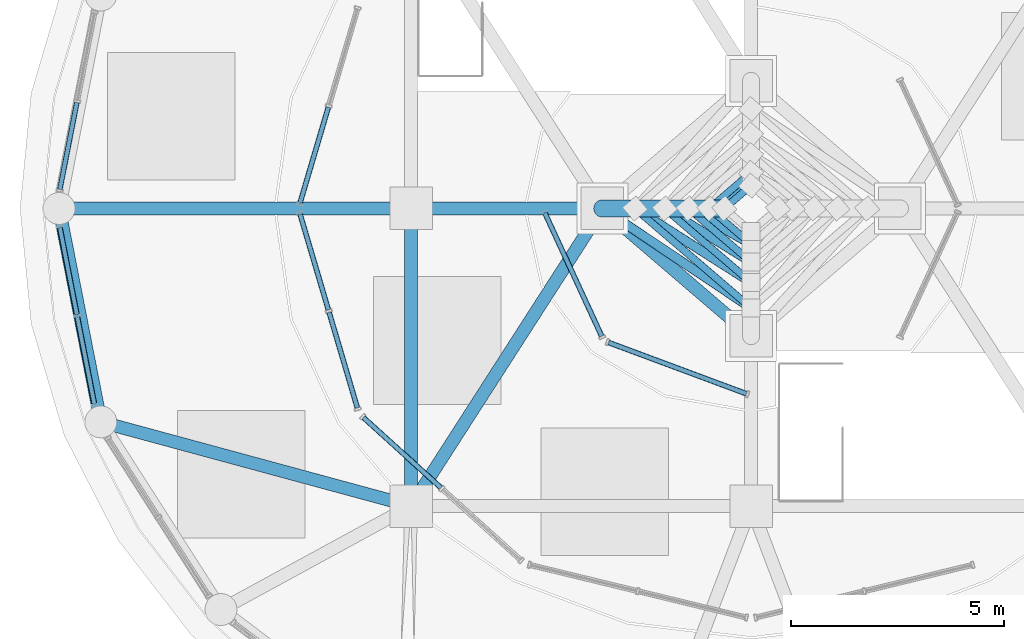
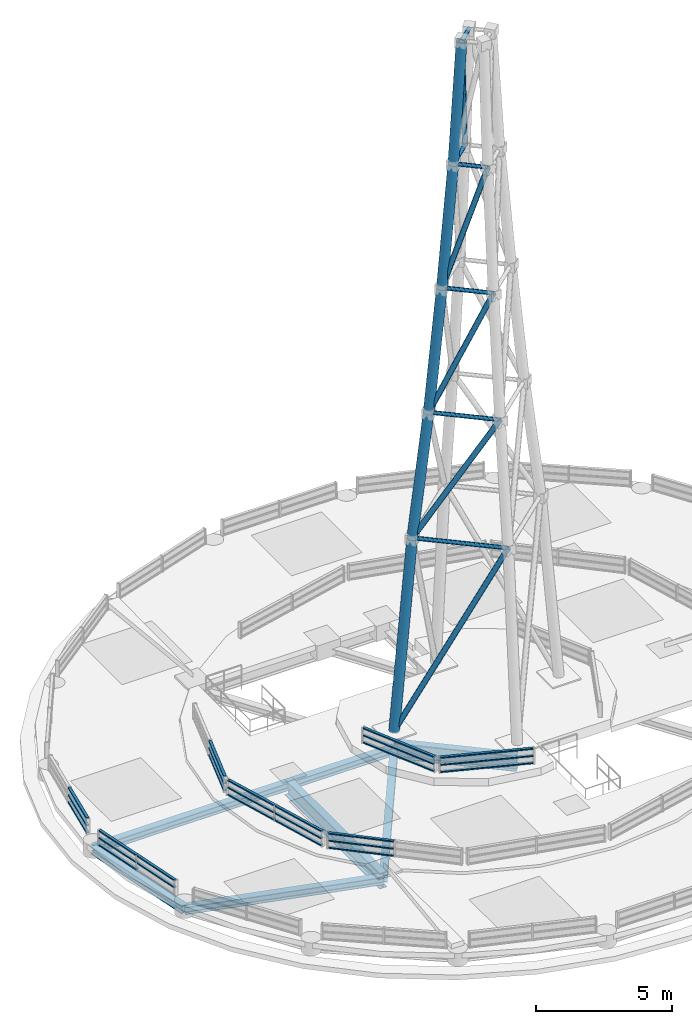
# One storey, part 2 of 21: 42 members, 7 beams, 7 elements without a shape of their own.
"""IFC4 building model written with IfcOpenShell, lengths in metres."""

from ifc_helpers import new_model, si_unit, direction, frame, origin, origin_2d, place, context, subcontext, project, spatial, hollow_rectangle, hollow_circle, i_section, extrude, material, layer, layer_set, material_profile, profile_set, type_object, element, aggregate, save


model = new_model("IFC4")

# Units and contexts
model_context = context("Model", 3, precision=1e-05, world=origin(), true_north=direction((0.0, 1.0)))
body_context = subcontext(model_context, "Body", "Model", "MODEL_VIEW")
ifc_project = project(units=[si_unit("LENGTHUNIT", "METRE"), si_unit("AREAUNIT", "SQUARE_METRE"), si_unit("VOLUMEUNIT", "CUBIC_METRE"), si_unit("PLANEANGLEUNIT", "RADIAN"), si_unit("MASSUNIT", "GRAM", prefix="KILO")], contexts=[model_context])

# Site, building, storey
site_placement = place(None, origin())
site = spatial("IfcSite", under=ifc_project, at=site_placement, CompositionType="ELEMENT")
building_placement = place(site_placement, origin())
building = spatial("IfcBuilding", under=site, at=building_placement, Name="Kelanora Arch Commons", CompositionType="ELEMENT")
storey_placement = place(building_placement, frame((0.0, 0.0, 311.10009765625)))
storey = spatial("IfcBuildingStorey", under=building, at=storey_placement, Name="RF", CompositionType="ELEMENT", Elevation=311.10009765625)

# Beams
ifc_material_1 = material(Name="Steel S355", Category="steel")
ifc_material_profile_1 = material_profile(ifc_material_1, i_section(OverallWidth=0.300048828125, OverallDepth=0.699951171875, WebThickness=0.01708984375, FlangeThickness=0.031982421875, FilletRadius=0.027099609375, at=origin_2d()), Name="HEB700")
ifc_profile_set_1 = profile_set([ifc_material_profile_1], Name="Steel S355")
beam_type_1 = type_object("IfcBeamType", Name="BM-CORE-HDR", PredefinedType="BEAM", material=ifc_profile_set_1)
beam_1_placement = place(storey_placement, frame((66.0, 58.0, 0.099853515625), z_axis=(0.0, -1.0, 0.0), x_axis=(1.0, 0.0, 0.0)))
element("IfcBeam", 1, at=beam_1_placement, inside=storey, type_object=beam_type_1, Name="Crown Mid Lantern Roof Ring 09", PredefinedType="BEAM", context=body_context, shape_type="SweptSolid", body=[
    extrude(i_section(OverallWidth=0.300048828125, OverallDepth=0.699951171875, WebThickness=0.01708984375, FlangeThickness=0.031982421875, FilletRadius=0.027099609375, at=origin_2d()), origin(), (0.0, 0.0, 1.0), 7.0),
])
beam_2_placement = place(storey_placement, frame((70.5, 58.0, 0.199951171875), z_axis=(0.759256602365, -0.650791373456, 0.0), x_axis=(0.650791373456, 0.759256602365, 0.0)))
element("IfcBeam", 2, at=beam_2_placement, inside=storey, type_object=beam_type_1, Name="Crown Collar Diamond Ring 04", PredefinedType="BEAM", context=body_context, shape_type="SweptSolid", body=[
    extrude(i_section(OverallWidth=0.300048828125, OverallDepth=0.699951171875, WebThickness=0.01708984375, FlangeThickness=0.031982421875, FilletRadius=0.027099609375, at=origin_2d()), origin(), (0.0, 0.0, 1.0), 4.60986328125),
])
ifc_material_profile_2 = material_profile(ifc_material_1, i_section(OverallWidth=0.300048828125, OverallDepth=0.340087890625, WebThickness=0.011962890625, FlangeThickness=0.021484375, FilletRadius=0.027099609375, at=origin_2d()), Name="HEB340")
ifc_profile_set_2 = profile_set([ifc_material_profile_2], Name="Steel S355")
beam_type_2 = type_object("IfcBeamType", Name="BM-DRUM-RING", PredefinedType="BEAM", material=ifc_profile_set_2)
beam_3_placement = place(storey_placement, frame((57.719970703125, 58.0, 0.179931640625), z_axis=(0.191929675955, -0.981408681176, 0.0), x_axis=(0.981408681176, 0.191929675955, 0.0)))
element("IfcBeam", 3, at=beam_3_placement, inside=storey, type_object=beam_type_2, Name="Crown Outer Lantern Ring Beam 18", PredefinedType="BEAM", context=body_context, shape_type="SweptSolid", body=[
    extrude(i_section(OverallWidth=0.300048828125, OverallDepth=0.340087890625, WebThickness=0.011962890625, FlangeThickness=0.021484375, FilletRadius=0.027099609375, at=origin_2d()), origin(), (0.0, 0.0, 1.0), 5.1162109375),
])
beam_4_placement = place(storey_placement, frame((57.719970703125, 58.0, 0.169921875), z_axis=(1.0, 0.0, 0.0), x_axis=(0.0, 1.0, 0.0)))
element("IfcBeam", 4, at=beam_4_placement, inside=storey, type_object=beam_type_2, Name="Sloped Glass Crown Outer Rafter 10A", PredefinedType="BEAM", context=body_context, shape_type="SweptSolid", body=[
    extrude(i_section(OverallWidth=0.300048828125, OverallDepth=0.340087890625, WebThickness=0.011962890625, FlangeThickness=0.021484375, FilletRadius=0.027099609375, at=origin_2d()), origin(), (0.0, 0.0, 1.0), 8.280029296875),
])
beam_5_placement = place(storey_placement, frame((66.0, 58.0, 0.169921875), z_axis=(1.0, 0.0, 0.0), x_axis=(0.0, 1.0, 0.0)))
element("IfcBeam", 5, at=beam_5_placement, inside=storey, type_object=beam_type_2, Name="Sloped Glass Crown Inner Rafter 06", PredefinedType="BEAM", context=body_context, shape_type="SweptSolid", body=[
    extrude(i_section(OverallWidth=0.300048828125, OverallDepth=0.340087890625, WebThickness=0.011962890625, FlangeThickness=0.021484375, FilletRadius=0.027099609375, at=origin_2d()), origin(), (0.0, 0.0, 1.0), 4.5),
])
beam_6_placement = place(storey_placement, frame((58.701904296875, 52.97900390625, 0.169921875), z_axis=(0.965145027625, -0.26171563891, 0.0), x_axis=(0.26171563891, 0.965145027625, 0.0)))
element("IfcBeam", 6, at=beam_6_placement, inside=storey, type_object=beam_type_2, Name="Sloped Glass Crown Outer Rafter 11A", PredefinedType="BEAM", context=body_context, shape_type="SweptSolid", body=[
    extrude(i_section(OverallWidth=0.300048828125, OverallDepth=0.340087890625, WebThickness=0.011962890625, FlangeThickness=0.021484375, FilletRadius=0.027099609375, at=origin_2d()), origin(), (0.0, 0.0, 1.0), 7.561767578125),
])
beam_7_placement = place(storey_placement, frame((66.0, 51.0, 0.169921875), z_axis=(0.540757591313, 0.841178475377, 0.0), x_axis=(-0.841178475377, 0.540757591313, 0.0)))
element("IfcBeam", 7, at=beam_7_placement, inside=storey, type_object=beam_type_2, Name="Sloped Glass Crown Inner Rafter 07", PredefinedType="BEAM", context=body_context, shape_type="SweptSolid", body=[
    extrude(i_section(OverallWidth=0.300048828125, OverallDepth=0.340087890625, WebThickness=0.011962890625, FlangeThickness=0.021484375, FilletRadius=0.027099609375, at=origin_2d()), origin(), (0.0, 0.0, 1.0), 8.32177734375),
])

# Curtain wall, members
ifc_material_2 = material(Name="Terracotta ceramic-fritted low-E glass and aluminium", Category="masonry")
ifc_layer = layer(ifc_material_2, 0.14990234375)
ifc_layer_set = layer_set([ifc_layer], Name="Terracotta ceramic-fritted low-E glass and aluminium")
curtain_wall_type = type_object("IfcCurtainWallType", Name="CW-SYS-06", PredefinedType="NOTDEFINED", material=ifc_layer_set)
curtain_wall_1_placement = place(storey_placement, origin())
curtain_wall_1 = element("IfcCurtainWall", 8, at=curtain_wall_1_placement, inside=storey, type_object=curtain_wall_type, Name="Sloped Glass Crown Lantern T1-09", PredefinedType="NOTDEFINED")
ifc_material_3 = material(Name="Powder-coated aluminium terracotta", Category="masonry")
ifc_material_profile_3 = material_profile(ifc_material_3, hollow_rectangle(XDim=0.1201171875, YDim=0.06005859375, WallThickness=0.0048828125, InnerFilletRadius=0.0048828125, OuterFilletRadius=0.010009765625, at=origin_2d()), Name="CWT120x60")
ifc_profile_set_3 = profile_set([ifc_material_profile_3], Name="Powder-coated aluminium terracotta")
member_type_1 = type_object("IfcMemberType", Name="CWT-STD", PredefinedType="USERDEFINED", material=ifc_profile_set_3)
member_1_placement = place(storey_placement, frame((58.13720703125, 60.492919921875, 0.619873046875), z_axis=(-0.191780603047, -0.981437822939, 0.0), x_axis=(0.981437822939, -0.191780603047, 0.0)))
member_1 = element("IfcMember", 9, at=member_1_placement, type_object=member_type_1, Name="CW-06 transom 2.1", ObjectType="TRANSOM", PredefinedType="USERDEFINED", context=body_context, shape_type="SweptSolid", body=[
    extrude(hollow_rectangle(XDim=0.1201171875, YDim=0.06005859375, WallThickness=0.0048828125, InnerFilletRadius=0.0048828125, OuterFilletRadius=0.010009765625, at=origin_2d()), origin(), (0.0, 0.0, 1.0), 2.080078125),
])
member_2_placement = place(storey_placement, frame((58.13720703125, 60.492919921875, 0.93994140625), z_axis=(-0.191780603047, -0.981437822939, 0.0), x_axis=(0.981437822939, -0.191780603047, 0.0)))
member_2 = element("IfcMember", 10, at=member_2_placement, type_object=member_type_1, Name="CW-06 transom 2.2", ObjectType="TRANSOM", PredefinedType="USERDEFINED", context=body_context, shape_type="SweptSolid", body=[
    extrude(hollow_rectangle(XDim=0.1201171875, YDim=0.06005859375, WallThickness=0.0048828125, InnerFilletRadius=0.0048828125, OuterFilletRadius=0.010009765625, at=origin_2d()), origin(), (0.0, 0.0, 1.0), 2.080078125),
])
member_3_placement = place(storey_placement, frame((58.13720703125, 60.492919921875, 1.260009765625), z_axis=(-0.191780603047, -0.981437822939, 0.0), x_axis=(0.981437822939, -0.191780603047, 0.0)))
member_3 = element("IfcMember", 11, at=member_3_placement, type_object=member_type_1, Name="CW-06 transom 2.3", ObjectType="TRANSOM", PredefinedType="USERDEFINED", context=body_context, shape_type="SweptSolid", body=[
    extrude(hollow_rectangle(XDim=0.1201171875, YDim=0.06005859375, WallThickness=0.0048828125, InnerFilletRadius=0.0048828125, OuterFilletRadius=0.010009765625, at=origin_2d()), origin(), (0.0, 0.0, 1.0), 2.080078125),
])
aggregate(curtain_wall_1, [member_1, member_2, member_3])

curtain_wall_2_placement = place(storey_placement, origin())
curtain_wall_2 = element("IfcCurtainWall", 12, at=curtain_wall_2_placement, inside=storey, type_object=curtain_wall_type, Name="Sloped Glass Crown Lantern T1-10", PredefinedType="NOTDEFINED")
member_4_placement = place(storey_placement, frame((57.73828125, 57.548583984375, 0.619873046875), z_axis=(0.191780603047, -0.981437822939, 0.0), x_axis=(0.981437822939, 0.191780603047, 0.0)))
member_4 = element("IfcMember", 13, at=member_4_placement, type_object=member_type_1, Name="CW-06 transom 1.1", ObjectType="TRANSOM", PredefinedType="USERDEFINED", context=body_context, shape_type="SweptSolid", body=[
    extrude(hollow_rectangle(XDim=0.1201171875, YDim=0.06005859375, WallThickness=0.0048828125, InnerFilletRadius=0.0048828125, OuterFilletRadius=0.010009765625, at=origin_2d()), origin(), (0.0, 0.0, 1.0), 2.080078125),
])
member_5_placement = place(storey_placement, frame((57.73828125, 57.548583984375, 0.93994140625), z_axis=(0.191780603047, -0.981437822939, 0.0), x_axis=(0.981437822939, 0.191780603047, 0.0)))
member_5 = element("IfcMember", 14, at=member_5_placement, type_object=member_type_1, Name="CW-06 transom 1.2", ObjectType="TRANSOM", PredefinedType="USERDEFINED", context=body_context, shape_type="SweptSolid", body=[
    extrude(hollow_rectangle(XDim=0.1201171875, YDim=0.06005859375, WallThickness=0.0048828125, InnerFilletRadius=0.0048828125, OuterFilletRadius=0.010009765625, at=origin_2d()), origin(), (0.0, 0.0, 1.0), 2.080078125),
])
member_6_placement = place(storey_placement, frame((57.73828125, 57.548583984375, 1.260009765625), z_axis=(0.191780603047, -0.981437822939, 0.0), x_axis=(0.981437822939, 0.191780603047, 0.0)))
member_6 = element("IfcMember", 15, at=member_6_placement, type_object=member_type_1, Name="CW-06 transom 1.3", ObjectType="TRANSOM", PredefinedType="USERDEFINED", context=body_context, shape_type="SweptSolid", body=[
    extrude(hollow_rectangle(XDim=0.1201171875, YDim=0.06005859375, WallThickness=0.0048828125, InnerFilletRadius=0.0048828125, OuterFilletRadius=0.010009765625, at=origin_2d()), origin(), (0.0, 0.0, 1.0), 2.080078125),
])
member_7_placement = place(storey_placement, frame((58.148681640625, 55.4482421875, 0.93994140625), z_axis=(0.191893651219, -0.981415725685, 0.0), x_axis=(0.981415725685, 0.191893651219, 0.0)))
member_7 = element("IfcMember", 16, at=member_7_placement, type_object=member_type_1, Name="CW-06 transom 2.2", ObjectType="TRANSOM", PredefinedType="USERDEFINED", context=body_context, shape_type="SweptSolid", body=[
    extrude(hollow_rectangle(XDim=0.1201171875, YDim=0.06005859375, WallThickness=0.0048828125, InnerFilletRadius=0.0048828125, OuterFilletRadius=0.010009765625, at=origin_2d()), origin(), (0.0, 0.0, 1.0), 2.080078125),
])
member_8_placement = place(storey_placement, frame((58.148681640625, 55.4482421875, 1.260009765625), z_axis=(0.191893651219, -0.981415725685, 0.0), x_axis=(0.981415725685, 0.191893651219, 0.0)))
member_8 = element("IfcMember", 17, at=member_8_placement, type_object=member_type_1, Name="CW-06 transom 2.3", ObjectType="TRANSOM", PredefinedType="USERDEFINED", context=body_context, shape_type="SweptSolid", body=[
    extrude(hollow_rectangle(XDim=0.1201171875, YDim=0.06005859375, WallThickness=0.0048828125, InnerFilletRadius=0.0048828125, OuterFilletRadius=0.010009765625, at=origin_2d()), origin(), (0.0, 0.0, 1.0), 2.080078125),
])
aggregate(curtain_wall_2, [member_4, member_5, member_6, member_7, member_8])

curtain_wall_3_placement = place(storey_placement, origin())
curtain_wall_3 = element("IfcCurtainWall", 18, at=curtain_wall_3_placement, inside=storey, type_object=curtain_wall_type, Name="Sloped Glass Crown Lantern T2-06", PredefinedType="NOTDEFINED")
member_9_placement = place(storey_placement, frame((64.054931640625, 60.3837890625, 0.719970703125), z_axis=(-0.283602831322, -0.958941830387, 0.0), x_axis=(0.958941830387, -0.283602831322, 0.0)))
member_9 = element("IfcMember", 19, at=member_9_placement, type_object=member_type_1, Name="CW-06 transom 2.1", ObjectType="TRANSOM", PredefinedType="USERDEFINED", context=body_context, shape_type="SweptSolid", body=[
    extrude(hollow_rectangle(XDim=0.1201171875, YDim=0.06005859375, WallThickness=0.0048828125, InnerFilletRadius=0.0048828125, OuterFilletRadius=0.010009765625, at=origin_2d()), origin(), (0.0, 0.0, 1.0), 2.345947265625),
])
member_10_placement = place(storey_placement, frame((64.054931640625, 60.3837890625, 1.039794921875), z_axis=(-0.283602831322, -0.958941830387, 0.0), x_axis=(0.958941830387, -0.283602831322, 0.0)))
member_10 = element("IfcMember", 20, at=member_10_placement, type_object=member_type_1, Name="CW-06 transom 2.2", ObjectType="TRANSOM", PredefinedType="USERDEFINED", context=body_context, shape_type="SweptSolid", body=[
    extrude(hollow_rectangle(XDim=0.1201171875, YDim=0.06005859375, WallThickness=0.0048828125, InnerFilletRadius=0.0048828125, OuterFilletRadius=0.010009765625, at=origin_2d()), origin(), (0.0, 0.0, 1.0), 2.345947265625),
])
member_11_placement = place(storey_placement, frame((64.054931640625, 60.3837890625, 1.35986328125), z_axis=(-0.283602831322, -0.958941830387, 0.0), x_axis=(0.958941830387, -0.283602831322, 0.0)))
member_11 = element("IfcMember", 21, at=member_11_placement, type_object=member_type_1, Name="CW-06 transom 2.3", ObjectType="TRANSOM", PredefinedType="USERDEFINED", context=body_context, shape_type="SweptSolid", body=[
    extrude(hollow_rectangle(XDim=0.1201171875, YDim=0.06005859375, WallThickness=0.0048828125, InnerFilletRadius=0.0048828125, OuterFilletRadius=0.010009765625, at=origin_2d()), origin(), (0.0, 0.0, 1.0), 2.345947265625),
])
aggregate(curtain_wall_3, [member_9, member_10, member_11])

curtain_wall_4_placement = place(storey_placement, origin())
curtain_wall_4 = element("IfcCurtainWall", 22, at=curtain_wall_4_placement, inside=storey, type_object=curtain_wall_type, Name="Sloped Glass Crown Lantern T2-07", PredefinedType="NOTDEFINED")
member_12_placement = place(storey_placement, frame((63.3896484375, 57.86572265625, 0.719970703125), z_axis=(0.283602831322, -0.958941830387, 0.0), x_axis=(0.958941830387, 0.283602831322, 0.0)))
member_12 = element("IfcMember", 23, at=member_12_placement, type_object=member_type_1, Name="CW-06 transom 1.1", ObjectType="TRANSOM", PredefinedType="USERDEFINED", context=body_context, shape_type="SweptSolid", body=[
    extrude(hollow_rectangle(XDim=0.1201171875, YDim=0.06005859375, WallThickness=0.0048828125, InnerFilletRadius=0.0048828125, OuterFilletRadius=0.010009765625, at=origin_2d()), origin(), (0.0, 0.0, 1.0), 2.345947265625),
])
member_13_placement = place(storey_placement, frame((63.3896484375, 57.86572265625, 1.039794921875), z_axis=(0.283602831322, -0.958941830387, 0.0), x_axis=(0.958941830387, 0.283602831322, 0.0)))
member_13 = element("IfcMember", 24, at=member_13_placement, type_object=member_type_1, Name="CW-06 transom 1.2", ObjectType="TRANSOM", PredefinedType="USERDEFINED", context=body_context, shape_type="SweptSolid", body=[
    extrude(hollow_rectangle(XDim=0.1201171875, YDim=0.06005859375, WallThickness=0.0048828125, InnerFilletRadius=0.0048828125, OuterFilletRadius=0.010009765625, at=origin_2d()), origin(), (0.0, 0.0, 1.0), 2.345947265625),
])
member_14_placement = place(storey_placement, frame((63.3896484375, 57.86572265625, 1.35986328125), z_axis=(0.283602831322, -0.958941830387, 0.0), x_axis=(0.958941830387, 0.283602831322, 0.0)))
member_14 = element("IfcMember", 25, at=member_14_placement, type_object=member_type_1, Name="CW-06 transom 1.3", ObjectType="TRANSOM", PredefinedType="USERDEFINED", context=body_context, shape_type="SweptSolid", body=[
    extrude(hollow_rectangle(XDim=0.1201171875, YDim=0.06005859375, WallThickness=0.0048828125, InnerFilletRadius=0.0048828125, OuterFilletRadius=0.010009765625, at=origin_2d()), origin(), (0.0, 0.0, 1.0), 2.345947265625),
])
member_15_placement = place(storey_placement, frame((64.072021484375, 55.558837890625, 0.719970703125), z_axis=(0.283507123418, -0.958970130385, 0.0), x_axis=(0.958970130385, 0.283507123418, 0.0)))
member_15 = element("IfcMember", 26, at=member_15_placement, type_object=member_type_1, Name="CW-06 transom 2.1", ObjectType="TRANSOM", PredefinedType="USERDEFINED", context=body_context, shape_type="SweptSolid", body=[
    extrude(hollow_rectangle(XDim=0.1201171875, YDim=0.06005859375, WallThickness=0.0048828125, InnerFilletRadius=0.0048828125, OuterFilletRadius=0.010009765625, at=origin_2d()), origin(), (0.0, 0.0, 1.0), 2.345703125),
])
member_16_placement = place(storey_placement, frame((64.072021484375, 55.558837890625, 1.039794921875), z_axis=(0.283507123418, -0.958970130385, 0.0), x_axis=(0.958970130385, 0.283507123418, 0.0)))
member_16 = element("IfcMember", 27, at=member_16_placement, type_object=member_type_1, Name="CW-06 transom 2.2", ObjectType="TRANSOM", PredefinedType="USERDEFINED", context=body_context, shape_type="SweptSolid", body=[
    extrude(hollow_rectangle(XDim=0.1201171875, YDim=0.06005859375, WallThickness=0.0048828125, InnerFilletRadius=0.0048828125, OuterFilletRadius=0.010009765625, at=origin_2d()), origin(), (0.0, 0.0, 1.0), 2.345703125),
])
member_17_placement = place(storey_placement, frame((64.072021484375, 55.558837890625, 1.35986328125), z_axis=(0.283507123418, -0.958970130385, 0.0), x_axis=(0.958970130385, 0.283507123418, 0.0)))
member_17 = element("IfcMember", 28, at=member_17_placement, type_object=member_type_1, Name="CW-06 transom 2.3", ObjectType="TRANSOM", PredefinedType="USERDEFINED", context=body_context, shape_type="SweptSolid", body=[
    extrude(hollow_rectangle(XDim=0.1201171875, YDim=0.06005859375, WallThickness=0.0048828125, InnerFilletRadius=0.0048828125, OuterFilletRadius=0.010009765625, at=origin_2d()), origin(), (0.0, 0.0, 1.0), 2.345703125),
])
aggregate(curtain_wall_4, [member_12, member_13, member_14, member_15, member_16, member_17])

curtain_wall_5_placement = place(storey_placement, origin())
curtain_wall_5 = element("IfcCurtainWall", 29, at=curtain_wall_5_placement, inside=storey, type_object=curtain_wall_type, Name="Sloped Glass Crown Lantern T2-08", PredefinedType="NOTDEFINED")
member_18_placement = place(storey_placement, frame((64.880615234375, 53.0810546875, 0.719970703125), z_axis=(0.741034787587, -0.671466636242, 0.0), x_axis=(0.671466636242, 0.741034787587, 0.0)))
member_18 = element("IfcMember", 30, at=member_18_placement, type_object=member_type_1, Name="CW-06 transom 1.1", ObjectType="TRANSOM", PredefinedType="USERDEFINED", context=body_context, shape_type="SweptSolid", body=[
    extrude(hollow_rectangle(XDim=0.1201171875, YDim=0.06005859375, WallThickness=0.0048828125, InnerFilletRadius=0.0048828125, OuterFilletRadius=0.010009765625, at=origin_2d()), origin(), (0.0, 0.0, 1.0), 2.4599609375),
])
member_19_placement = place(storey_placement, frame((64.880615234375, 53.0810546875, 1.039794921875), z_axis=(0.741034787587, -0.671466636242, 0.0), x_axis=(0.671466636242, 0.741034787587, 0.0)))
member_19 = element("IfcMember", 31, at=member_19_placement, type_object=member_type_1, Name="CW-06 transom 1.2", ObjectType="TRANSOM", PredefinedType="USERDEFINED", context=body_context, shape_type="SweptSolid", body=[
    extrude(hollow_rectangle(XDim=0.1201171875, YDim=0.06005859375, WallThickness=0.0048828125, InnerFilletRadius=0.0048828125, OuterFilletRadius=0.010009765625, at=origin_2d()), origin(), (0.0, 0.0, 1.0), 2.4599609375),
])
member_20_placement = place(storey_placement, frame((64.880615234375, 53.0810546875, 1.35986328125), z_axis=(0.741034787587, -0.671466636242, 0.0), x_axis=(0.671466636242, 0.741034787587, 0.0)))
member_20 = element("IfcMember", 32, at=member_20_placement, type_object=member_type_1, Name="CW-06 transom 1.3", ObjectType="TRANSOM", PredefinedType="USERDEFINED", context=body_context, shape_type="SweptSolid", body=[
    extrude(hollow_rectangle(XDim=0.1201171875, YDim=0.06005859375, WallThickness=0.0048828125, InnerFilletRadius=0.0048828125, OuterFilletRadius=0.010009765625, at=origin_2d()), origin(), (0.0, 0.0, 1.0), 2.4599609375),
])
aggregate(curtain_wall_5, [member_18, member_19, member_20])

curtain_wall_6_placement = place(storey_placement, origin())
curtain_wall_6 = element("IfcCurtainWall", 33, at=curtain_wall_6_placement, inside=storey, type_object=curtain_wall_type, Name="Sloped Glass Crown Lantern T3-05", PredefinedType="NOTDEFINED")
member_21_placement = place(storey_placement, frame((69.150146484375, 57.89111328125, 1.02978515625), z_axis=(0.41888810842, -0.908037858585, 0.0), x_axis=(0.908037858585, 0.41888810842, 0.0)))
member_21 = element("IfcMember", 34, at=member_21_placement, type_object=member_type_1, Name="CW-06 transom 1.1", ObjectType="TRANSOM", PredefinedType="USERDEFINED", context=body_context, shape_type="SweptSolid", body=[
    extrude(hollow_rectangle(XDim=0.1201171875, YDim=0.06005859375, WallThickness=0.0048828125, InnerFilletRadius=0.0048828125, OuterFilletRadius=0.010009765625, at=origin_2d()), origin(), (0.0, 0.0, 1.0), 3.186279296875),
])
member_22_placement = place(storey_placement, frame((69.150146484375, 57.89111328125, 1.349853515625), z_axis=(0.41888810842, -0.908037858585, 0.0), x_axis=(0.908037858585, 0.41888810842, 0.0)))
member_22 = element("IfcMember", 35, at=member_22_placement, type_object=member_type_1, Name="CW-06 transom 1.2", ObjectType="TRANSOM", PredefinedType="USERDEFINED", context=body_context, shape_type="SweptSolid", body=[
    extrude(hollow_rectangle(XDim=0.1201171875, YDim=0.06005859375, WallThickness=0.0048828125, InnerFilletRadius=0.0048828125, OuterFilletRadius=0.010009765625, at=origin_2d()), origin(), (0.0, 0.0, 1.0), 3.186279296875),
])
member_23_placement = place(storey_placement, frame((69.150146484375, 57.89111328125, 1.669921875), z_axis=(0.41888810842, -0.908037858585, 0.0), x_axis=(0.908037858585, 0.41888810842, 0.0)))
member_23 = element("IfcMember", 36, at=member_23_placement, type_object=member_type_1, Name="CW-06 transom 1.3", ObjectType="TRANSOM", PredefinedType="USERDEFINED", context=body_context, shape_type="SweptSolid", body=[
    extrude(hollow_rectangle(XDim=0.1201171875, YDim=0.06005859375, WallThickness=0.0048828125, InnerFilletRadius=0.0048828125, OuterFilletRadius=0.010009765625, at=origin_2d()), origin(), (0.0, 0.0, 1.0), 3.186279296875),
])
aggregate(curtain_wall_6, [member_21, member_22, member_23])

curtain_wall_7_placement = place(storey_placement, origin())
curtain_wall_7 = element("IfcCurtainWall", 37, at=curtain_wall_7_placement, inside=storey, type_object=curtain_wall_type, Name="Sloped Glass Crown Lantern T3-06", PredefinedType="NOTDEFINED")
member_24_placement = place(storey_placement, frame((70.647705078125, 54.846923828125, 1.02978515625), z_axis=(0.937260498885, -0.348629828372, 0.0), x_axis=(0.348629828372, 0.937260498885, 0.0)))
member_24 = element("IfcMember", 38, at=member_24_placement, type_object=member_type_1, Name="CW-06 transom 1.1", ObjectType="TRANSOM", PredefinedType="USERDEFINED", context=body_context, shape_type="SweptSolid", body=[
    extrude(hollow_rectangle(XDim=0.1201171875, YDim=0.06005859375, WallThickness=0.0048828125, InnerFilletRadius=0.0048828125, OuterFilletRadius=0.010009765625, at=origin_2d()), origin(), (0.0, 0.0, 1.0), 3.45654296875),
])
member_25_placement = place(storey_placement, frame((70.647705078125, 54.846923828125, 1.349853515625), z_axis=(0.937260498885, -0.348629828372, 0.0), x_axis=(0.348629828372, 0.937260498885, 0.0)))
member_25 = element("IfcMember", 39, at=member_25_placement, type_object=member_type_1, Name="CW-06 transom 1.2", ObjectType="TRANSOM", PredefinedType="USERDEFINED", context=body_context, shape_type="SweptSolid", body=[
    extrude(hollow_rectangle(XDim=0.1201171875, YDim=0.06005859375, WallThickness=0.0048828125, InnerFilletRadius=0.0048828125, OuterFilletRadius=0.010009765625, at=origin_2d()), origin(), (0.0, 0.0, 1.0), 3.45654296875),
])
member_26_placement = place(storey_placement, frame((70.647705078125, 54.846923828125, 1.669921875), z_axis=(0.937260498885, -0.348629828372, 0.0), x_axis=(0.348629828372, 0.937260498885, 0.0)))
member_26 = element("IfcMember", 40, at=member_26_placement, type_object=member_type_1, Name="CW-06 transom 1.3", ObjectType="TRANSOM", PredefinedType="USERDEFINED", context=body_context, shape_type="SweptSolid", body=[
    extrude(hollow_rectangle(XDim=0.1201171875, YDim=0.06005859375, WallThickness=0.0048828125, InnerFilletRadius=0.0048828125, OuterFilletRadius=0.010009765625, at=origin_2d()), origin(), (0.0, 0.0, 1.0), 3.45654296875),
])
aggregate(curtain_wall_7, [member_24, member_25, member_26])

# Members
ifc_material_profile_4 = material_profile(ifc_material_1, hollow_circle(Radius=0.109619140625, WallThickness=0.010009765625, at=origin_2d()), Name="CHS219.1x10")
ifc_profile_set_4 = profile_set([ifc_material_profile_4], Name="Steel S355")
member_type_2 = type_object("IfcMemberType", Name="MEM-MAST-DIAG", PredefinedType="USERDEFINED", material=ifc_profile_set_4)
member_27_placement = place(storey_placement, frame((70.5, 58.0, 1.0), z_axis=(0.372499875102, -0.24905212771, 0.893989306833), x_axis=(0.555810386067, 0.831309096991, 0.0)))
element("IfcMember", 41, at=member_27_placement, inside=storey, type_object=member_type_2, Name="Broadcast Mast Lattice Brace T1-4", ObjectType="MAST", PredefinedType="USERDEFINED", context=body_context, shape_type="SweptSolid", body=[
    extrude(hollow_circle(Radius=0.109619140625, WallThickness=0.010009765625, at=origin_2d()), origin(), (0.0, 0.0, 1.0), 9.39599609375),
])
member_28_placement = place(storey_placement, frame((71.27001953125, 58.0, 9.39990234375), z_axis=(0.43360724087, -0.276365480744, 0.857675277549), x_axis=(0.537475563029, 0.843279324511, 0.0)))
element("IfcMember", 42, at=member_28_placement, inside=storey, type_object=member_type_2, Name="Broadcast Mast Lattice Brace T2-4", ObjectType="MAST", PredefinedType="USERDEFINED", context=body_context, shape_type="SweptSolid", body=[
    extrude(hollow_circle(Radius=0.109619140625, WallThickness=0.010009765625, at=origin_2d()), origin(), (0.0, 0.0, 1.0), 6.2958984375),
])
member_29_placement = place(storey_placement, frame((71.969970703125, 58.0, 14.7998046875), z_axis=(0.343775503615, -0.21337647314, 0.914488318036), x_axis=(0.527360318194, 0.849641744969, 0.0)))
element("IfcMember", 43, at=member_29_placement, inside=storey, type_object=member_type_2, Name="Broadcast Mast Lattice Brace T3-4", ObjectType="MAST", PredefinedType="USERDEFINED", context=body_context, shape_type="SweptSolid", body=[
    extrude(hollow_circle(Radius=0.109619140625, WallThickness=0.010009765625, at=origin_2d()), origin(), (0.0, 0.0, 1.0), 5.905029296875),
])
member_30_placement = place(storey_placement, frame((72.530029296875, 58.0, 20.199951171875), z_axis=(0.259753060524, -0.148448809378, 0.954196677076), x_axis=(0.496185524708, 0.868216519694, 0.0)))
element("IfcMember", 44, at=member_30_placement, inside=storey, type_object=member_type_2, Name="Broadcast Mast Lattice Brace T4-4", ObjectType="MAST", PredefinedType="USERDEFINED", context=body_context, shape_type="SweptSolid", body=[
    extrude(hollow_circle(Radius=0.109619140625, WallThickness=0.010009765625, at=origin_2d()), origin(), (0.0, 0.0, 1.0), 5.6591796875),
])
member_31_placement = place(storey_placement, frame((74.0, 58.840087890625, 25.599853515625), z_axis=(-0.114497500212, -0.152707712492, 0.981616359374), x_axis=(0.800083697571, -0.599888387019, 0.0)))
element("IfcMember", 45, at=member_31_placement, inside=storey, type_object=member_type_2, Name="Broadcast Mast Lattice Brace T5-3", ObjectType="MAST", PredefinedType="USERDEFINED", context=body_context, shape_type="SweptSolid", body=[
    extrude(hollow_circle(Radius=0.109619140625, WallThickness=0.010009765625, at=origin_2d()), origin(), (0.0, 0.0, 1.0), 5.501220703125),
])
ifc_material_profile_5 = material_profile(ifc_material_1, hollow_circle(Radius=0.084228515625, WallThickness=0.008056640625, at=origin_2d()), Name="CHS168.3x8")
ifc_profile_set_5 = profile_set([ifc_material_profile_5], Name="Steel S355")
member_type_3 = type_object("IfcMemberType", Name="MEM-MAST-GIRT", PredefinedType="USERDEFINED", material=ifc_profile_set_5)
member_32_placement = place(storey_placement, frame((71.27001953125, 58.0, 9.39990234375), z_axis=(0.759242223651, -0.650808148247, 0.0), x_axis=(0.650808148247, 0.759242223651, 0.0)))
element("IfcMember", 46, at=member_32_placement, inside=storey, type_object=member_type_3, Name="Broadcast Mast Horizontal Girt T1-4", ObjectType="MAST", PredefinedType="USERDEFINED", context=body_context, shape_type="SweptSolid", body=[
    extrude(hollow_circle(Radius=0.084228515625, WallThickness=0.008056640625, at=origin_2d()), origin(), (0.0, 0.0, 1.0), 3.595703125),
])
member_33_placement = place(storey_placement, frame((71.969970703125, 58.0, 14.7998046875), z_axis=(0.759263047913, -0.650783853575, 0.0), x_axis=(0.650783853575, 0.759263047913, 0.0)))
element("IfcMember", 47, at=member_33_placement, inside=storey, type_object=member_type_3, Name="Broadcast Mast Horizontal Girt T2-4", ObjectType="MAST", PredefinedType="USERDEFINED", context=body_context, shape_type="SweptSolid", body=[
    extrude(hollow_circle(Radius=0.084228515625, WallThickness=0.008056640625, at=origin_2d()), origin(), (0.0, 0.0, 1.0), 2.673583984375),
])
member_34_placement = place(storey_placement, frame((72.530029296875, 58.0, 20.199951171875), z_axis=(0.759247701122, -0.650801758096, 0.0), x_axis=(0.650801758096, 0.759247701122, 0.0)))
element("IfcMember", 48, at=member_34_placement, inside=storey, type_object=member_type_3, Name="Broadcast Mast Horizontal Girt T3-4", ObjectType="MAST", PredefinedType="USERDEFINED", context=body_context, shape_type="SweptSolid", body=[
    extrude(hollow_circle(Radius=0.084228515625, WallThickness=0.008056640625, at=origin_2d()), origin(), (0.0, 0.0, 1.0), 1.93603515625),
])
for number, where, z_axis, x_axis, name in (
    (49, (74.0, 58.840087890625, 25.599853515625), (-0.759216547298, -0.650838101458, 0.0), (0.650838101458, -0.759216547298, 0.0), "Broadcast Mast Horizontal Girt T4-3"),
    (50, (73.02001953125, 58.0, 25.599853515625), (0.759216547298, -0.650838101458, 0.0), (0.650838101458, 0.759216547298, 0.0), "Broadcast Mast Horizontal Girt T4-4"),
):
    element("IfcMember", number, at=place(storey_placement, frame(where, z_axis=z_axis, x_axis=x_axis)), inside=storey, type_object=member_type_3, Name=name, ObjectType="MAST", PredefinedType="USERDEFINED", context=body_context, shape_type="SweptSolid", body=[
        extrude(hollow_circle(Radius=0.084228515625, WallThickness=0.008056640625, at=origin_2d()), origin(), (0.0, 0.0, 1.0), 1.290771484375),
    ])
member_35_placement = place(storey_placement, frame((74.0, 58.5400390625, 31.0), z_axis=(-0.759173512893, -0.650888298651, 0.0), x_axis=(0.650888298651, -0.759173512893, 0.0)))
element("IfcMember", 51, at=member_35_placement, inside=storey, type_object=member_type_3, Name="Broadcast Mast Horizontal Girt T5-3", ObjectType="MAST", PredefinedType="USERDEFINED", context=body_context, shape_type="SweptSolid", body=[
    extrude(hollow_circle(Radius=0.084228515625, WallThickness=0.008056640625, at=origin_2d()), origin(), (0.0, 0.0, 1.0), 0.82958984375),
])
ifc_material_profile_6 = material_profile(ifc_material_1, hollow_circle(Radius=0.203125, WallThickness=0.02001953125, at=origin_2d()), Name="CHS406.4x20")
ifc_profile_set_6 = profile_set([ifc_material_profile_6], Name="Steel S355")
member_type_4 = type_object("IfcMemberType", Name="MEM-MAST-LEG", PredefinedType="USERDEFINED", material=ifc_profile_set_6)
member_36_placement = place(storey_placement, frame((70.5, 58.0, 1.0), z_axis=(0.09128729817, 0.0, 0.995824597604), x_axis=(0.0, 1.0, 0.0)))
element("IfcMember", 52, at=member_36_placement, inside=storey, type_object=member_type_4, Name="Broadcast Mast Corner Leg T1-4", ObjectType="MAST", PredefinedType="USERDEFINED", context=body_context, shape_type="SweptSolid", body=[
    extrude(hollow_circle(Radius=0.203125, WallThickness=0.02001953125, at=origin_2d()), origin(), (0.0, 0.0, 1.0), 8.43505859375),
])
member_37_placement = place(storey_placement, frame((71.27001953125, 58.0, 9.39990234375), z_axis=(0.128547495905, 0.0, 0.991703353477), x_axis=(0.0, 1.0, 0.0)))
element("IfcMember", 53, at=member_37_placement, inside=storey, type_object=member_type_4, Name="Broadcast Mast Corner Leg T2-4", ObjectType="MAST", PredefinedType="USERDEFINED", context=body_context, shape_type="SweptSolid", body=[
    extrude(hollow_circle(Radius=0.203125, WallThickness=0.02001953125, at=origin_2d()), origin(), (0.0, 0.0, 1.0), 5.445068359375),
])
member_38_placement = place(storey_placement, frame((71.969970703125, 58.0, 14.7998046875), z_axis=(0.103158432413, 0.0, 0.994664937465), x_axis=(0.0, 1.0, 0.0)))
element("IfcMember", 54, at=member_38_placement, inside=storey, type_object=member_type_4, Name="Broadcast Mast Corner Leg T3-4", ObjectType="MAST", PredefinedType="USERDEFINED", context=body_context, shape_type="SweptSolid", body=[
    extrude(hollow_circle(Radius=0.203125, WallThickness=0.02001953125, at=origin_2d()), origin(), (0.0, 0.0, 1.0), 5.42919921875),
])
member_39_placement = place(storey_placement, frame((72.530029296875, 58.0, 20.199951171875), z_axis=(0.090369292317, 0.0, 0.995908324599), x_axis=(0.0, 1.0, 0.0)))
element("IfcMember", 55, at=member_39_placement, inside=storey, type_object=member_type_4, Name="Broadcast Mast Corner Leg T4-4", ObjectType="MAST", PredefinedType="USERDEFINED", context=body_context, shape_type="SweptSolid", body=[
    extrude(hollow_circle(Radius=0.203125, WallThickness=0.02001953125, at=origin_2d()), origin(), (0.0, 0.0, 1.0), 5.422119140625),
])
member_40_placement = place(storey_placement, frame((73.02001953125, 58.0, 25.599853515625), z_axis=(0.064695323505, 0.0, 0.997905063178), x_axis=(0.0, 1.0, 0.0)))
element("IfcMember", 56, at=member_40_placement, inside=storey, type_object=member_type_4, Name="Broadcast Mast Corner Leg T5-4", ObjectType="MAST", PredefinedType="USERDEFINED", context=body_context, shape_type="SweptSolid", body=[
    extrude(hollow_circle(Radius=0.203125, WallThickness=0.02001953125, at=origin_2d()), origin(), (0.0, 0.0, 1.0), 5.411376953125),
])

save(model, "model.ifc")
